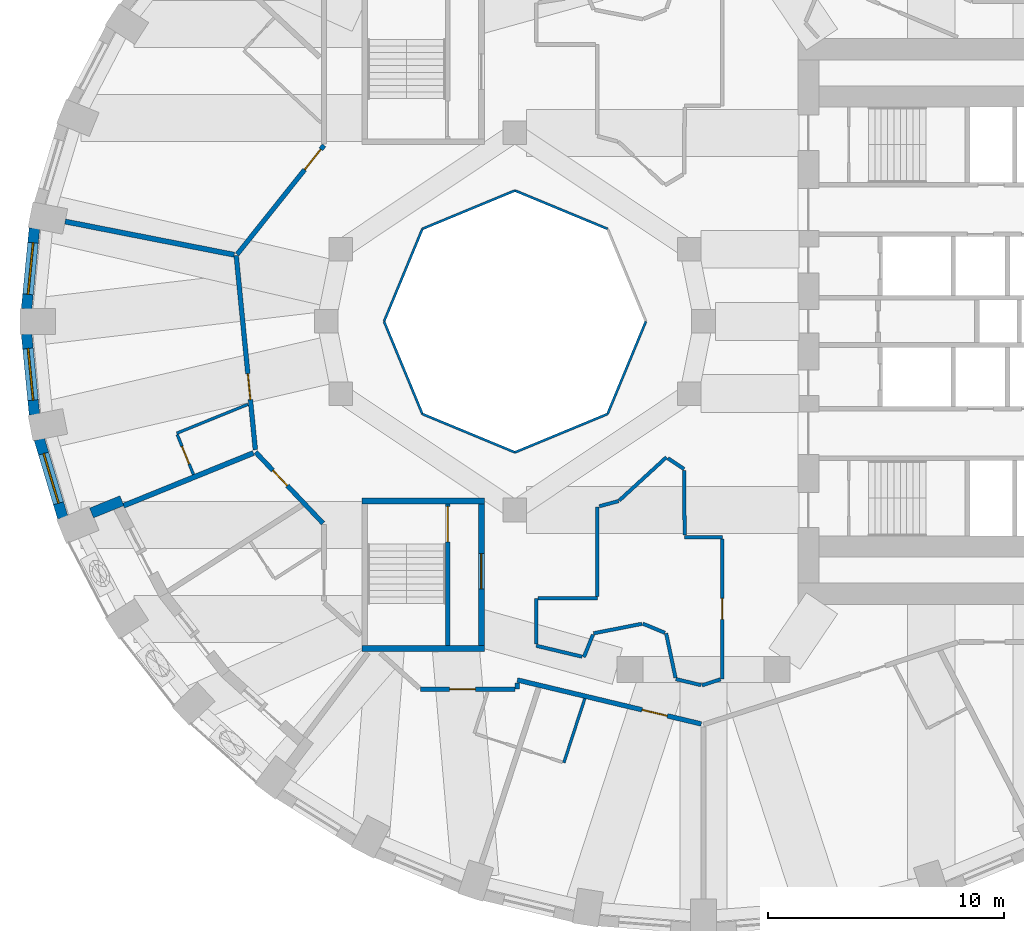
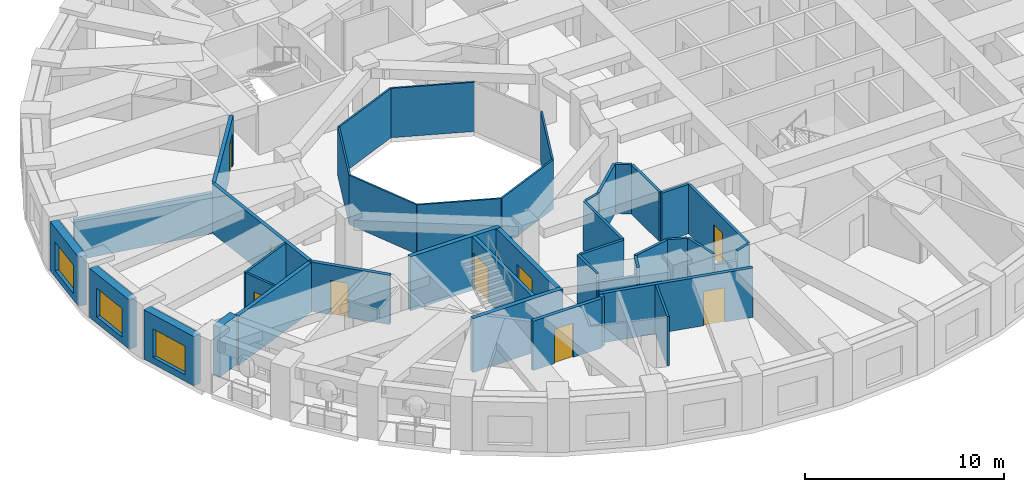
# One storey, part 4 of 13: 42 walls, 9 doors, 3 windows, 12 openings.
"""IFC4 building model written with IfcOpenShell, lengths in metres."""

from ifc_helpers import new_model, si_unit, direction, frame, frame_2d, origin, place, context, subcontext, project, spatial, rectangle, extrude, material, layer, layer_set, type_object, element, fill, save


model = new_model("IFC4")

# Units and contexts
model_context = context("Model", 3, precision=1e-05, world=origin(), true_north=direction((0.0, 1.0)))
body_context = subcontext(model_context, "Body", "Model", "MODEL_VIEW")
ifc_project = project(units=[si_unit("LENGTHUNIT", "METRE"), si_unit("AREAUNIT", "SQUARE_METRE"), si_unit("VOLUMEUNIT", "CUBIC_METRE"), si_unit("PLANEANGLEUNIT", "RADIAN"), si_unit("MASSUNIT", "GRAM", prefix="KILO")], contexts=[model_context])

# Site, building, storey
site_placement = place(None, origin())
site = spatial("IfcSite", under=ifc_project, at=site_placement, CompositionType="ELEMENT")
building_placement = place(site_placement, origin())
building = spatial("IfcBuilding", under=site, at=building_placement, Name="Taillehof Tower", CompositionType="ELEMENT")
storey_placement = place(building_placement, frame((0.0, 0.0, 51.39990234375)))
storey = spatial("IfcBuildingStorey", under=building, at=storey_placement, Name="L13", CompositionType="ELEMENT", Elevation=51.39990234375)

# Walls
ifc_material_1 = material(Name="Fire-resisting glass in steel frame", Category="steel")
ifc_layer_1 = layer(ifc_material_1, 0.10009765625)
ifc_layer_set_1 = layer_set([ifc_layer_1], Name="Atrium fire-resisting screen EI 60 100")
wall_type_1 = type_object("IfcWallType", Name="Atrium fire-resisting screen EI 60 100", PredefinedType="PARTITIONING", material=ifc_layer_set_1)
for number, where, z_axis, x_axis, name in (
    (1, (-2.44580078125, 0.0, 0.0), (0.0, 0.0, 1.0), (-0.382730523909, -0.923860025149, 0.0), "Atrium screen"),
    (2, (-4.07275390625, -3.92724609375, 0.0), (0.0, 0.0, 1.0), (-0.923860025149, -0.382730523909, 0.0), "Atrium screen"),
    (3, (-8.0, -5.55419921875, 0.0), (0.0, 0.0, 1.0), (-0.923860025149, 0.382730523909, 0.0), "Atrium screen"),
    (4, (-11.92724609375, -3.92724609375, 0.0), (0.0, 0.0, 1.0), (-0.382730523909, 0.923860025149, 0.0), "Atrium screen"),
    (5, (-13.55419921875, 0.0, 0.0), (0.0, 0.0, 1.0), (0.382730523909, 0.923860025149, 0.0), "Atrium screen"),
    (6, (-11.92724609375, 3.92724609375, 0.0), (0.0, 0.0, 1.0), (0.923860025149, 0.382730523909, 0.0), "Atrium screen"),
    (7, (-8.0, 5.55419921875, 0.0), (0.0, 0.0, 1.0), (0.923860025149, -0.382730523909, 0.0), "Atrium screen"),
):
    element("IfcWall", number, at=place(storey_placement, frame(where, z_axis=z_axis, x_axis=x_axis)), inside=storey, type_object=wall_type_1, Name=name, PredefinedType="PARTITIONING", context=body_context, shape_type="SweptSolid", body=[
        extrude(rectangle(XDim=4.2509765625, YDim=0.10009765625, at=frame_2d((2.12548828125, 0.0))), origin(), (0.0, 0.0, 1.0), 3.02001953125),
    ])

# Wall, opening, window
ifc_material_2 = material(Name="Brick masonry", Category="masonry")
ifc_layer_2 = layer(ifc_material_2, 0.449951171875)
ifc_layer_set_2 = layer_set([ifc_layer_2], Name="Brick infill wall 450")
wall_type_2 = type_object("IfcWallType", Name="Brick infill wall 450", PredefinedType="SOLIDWALL", material=ifc_layer_set_2)
wall_1_placement = place(storey_placement, frame((-28.38671875, 3.95556640625, 0.0), z_axis=(0.0, 0.0, 1.0), x_axis=(-0.097389581596, -0.995246336038, 0.0)))
wall_1 = element("IfcWall", 8, at=wall_1_placement, inside=storey, type_object=wall_type_2, Name="Brick wall L13 bay 18", PredefinedType="SOLIDWALL", context=body_context, shape_type="SweptSolid", body=[
    extrude(rectangle(XDim=3.44189453125, YDim=0.449951171875, at=frame_2d((1.720947265625, 0.0))), origin(), (0.0, 0.0, 1.0), 3.02001953125),
])
opening_1_placement = place(wall_1_placement, frame((0.62109375, 0.0, 0.39990234375)))
opening_1 = element("IfcOpeningElement", 9, at=opening_1_placement, cuts=wall_1, Name="Opening W1", PredefinedType="OPENING", context=body_context, shape_type="SweptSolid", body=[
    extrude(rectangle(XDim=2.199951171875, YDim=1.75, at=frame_2d((1.10009765625, 0.875))), frame((0.0, 0.23486328125, 0.0), z_axis=(0.0, -1.0, 0.0), x_axis=(1.0, 0.0, 0.0)), (0.0, 0.0, 1.0), 0.469970703125),
])
ifc_material_3 = material(Name="Aluminium window frame with clear double glazing", Category="aluminium")
window_type = type_object("IfcWindowType", Name="Deep-set window 2200x1750", PartitioningType="SINGLE_PANEL", PredefinedType="WINDOW", material=ifc_material_3)
window_1_placement = place(opening_1_placement, origin())
window_1 = element("IfcWindow", 10, at=window_1_placement, inside=storey, type_object=window_type, Name="W1", OverallHeight=1.75, OverallWidth=2.199951171875, PartitioningType="SINGLE_PANEL", PredefinedType="WINDOW", context=body_context, shape_type="SweptSolid", body=[
    extrude(rectangle(XDim=2.199951171875, YDim=1.75, at=frame_2d((1.10009765625, 0.875))), frame((0.0, 0.034912109375, 0.0), z_axis=(0.0, -1.0, 0.0), x_axis=(1.0, 0.0, 0.0)), (0.0, 0.0, 1.0), 0.06005859375),
])
fill(opening_1, window_1)

wall_2_placement = place(storey_placement, frame((-28.721923828125, -0.530029296875, 0.0), z_axis=(0.0, 0.0, 1.0), x_axis=(0.097389581596, -0.995246336038, 0.0)))
wall_2 = element("IfcWall", 11, at=wall_2_placement, inside=storey, type_object=wall_type_2, Name="Brick wall L13 bay 19", PredefinedType="SOLIDWALL", context=body_context, shape_type="SweptSolid", body=[
    extrude(rectangle(XDim=3.44189453125, YDim=0.449951171875, at=frame_2d((1.720947265625, 0.0))), origin(), (0.0, 0.0, 1.0), 3.02001953125),
])
opening_2_placement = place(wall_2_placement, frame((0.62109375, 0.0, 0.39990234375)))
opening_2 = element("IfcOpeningElement", 12, at=opening_2_placement, cuts=wall_2, Name="Opening W1", PredefinedType="OPENING", context=body_context, shape_type="SweptSolid", body=[
    extrude(rectangle(XDim=2.199951171875, YDim=1.75, at=frame_2d((1.10009765625, 0.875))), frame((0.0, 0.23486328125, 0.0), z_axis=(0.0, -1.0, 0.0), x_axis=(1.0, 0.0, 0.0)), (0.0, 0.0, 1.0), 0.469970703125),
])
window_2_placement = place(opening_2_placement, origin())
window_2 = element("IfcWindow", 13, at=window_2_placement, inside=storey, type_object=window_type, Name="W1", OverallHeight=1.75, OverallWidth=2.199951171875, PartitioningType="SINGLE_PANEL", PredefinedType="WINDOW", context=body_context, shape_type="SweptSolid", body=[
    extrude(rectangle(XDim=2.199951171875, YDim=1.75, at=frame_2d((1.10009765625, 0.875))), frame((0.0, 0.034912109375, 0.0), z_axis=(0.0, -1.0, 0.0), x_axis=(1.0, 0.0, 0.0)), (0.0, 0.0, 1.0), 0.06005859375),
])
fill(opening_2, window_2)

wall_3_placement = place(storey_placement, frame((-28.181884765625, -4.995849609375, 0.0), z_axis=(0.0, 0.0, 1.0), x_axis=(0.287064133733, -0.957911364963, 0.0)))
wall_3 = element("IfcWall", 14, at=wall_3_placement, inside=storey, type_object=wall_type_2, Name="Brick wall L13 bay 20", PredefinedType="SOLIDWALL", context=body_context, shape_type="SweptSolid", body=[
    extrude(rectangle(XDim=3.473388671875, YDim=0.449951171875, at=frame_2d((1.73681640625, 0.0))), origin(), (0.0, 0.0, 1.0), 3.02001953125),
])
opening_3_placement = place(wall_3_placement, frame((0.63671875, 0.0, 0.39990234375)))
opening_3 = element("IfcOpeningElement", 15, at=opening_3_placement, cuts=wall_3, Name="Opening W1", PredefinedType="OPENING", context=body_context, shape_type="SweptSolid", body=[
    extrude(rectangle(XDim=2.199951171875, YDim=1.75, at=frame_2d((1.10009765625, 0.875))), frame((0.0, 0.23486328125, 0.0), z_axis=(0.0, -1.0, 0.0), x_axis=(1.0, 0.0, 0.0)), (0.0, 0.0, 1.0), 0.469970703125),
])
window_3_placement = place(opening_3_placement, origin())
window_3 = element("IfcWindow", 16, at=window_3_placement, inside=storey, type_object=window_type, Name="W1", OverallHeight=1.75, OverallWidth=2.199951171875, PartitioningType="SINGLE_PANEL", PredefinedType="WINDOW", context=body_context, shape_type="SweptSolid", body=[
    extrude(rectangle(XDim=2.199951171875, YDim=1.75, at=frame_2d((1.10009765625, 0.875))), frame((0.0, 0.034912109375, 0.0), z_axis=(0.0, -1.0, 0.0), x_axis=(1.0, 0.0, 0.0)), (0.0, 0.0, 1.0), 0.06005859375),
])
fill(opening_3, window_3)

# Wall
wall_4_placement = place(storey_placement, frame((-25.96484375, -8.12744140625, 0.0), z_axis=(0.0, 0.0, 1.0), x_axis=(0.926575599743, 0.376108572039, 0.0)))
element("IfcWall", 17, at=wall_4_placement, inside=storey, type_object=wall_type_2, Name="Brick reveal L13 pocket 6", PredefinedType="SOLIDWALL", context=body_context, shape_type="SweptSolid", body=[
    extrude(rectangle(XDim=1.390380859375, YDim=0.449951171875, at=frame_2d((0.6953125, 0.0))), origin(), (0.0, 0.0, 1.0), 3.02001953125),
])

# Wall, opening, door
ifc_material_4 = material(Name="Gypsum board on steel studs, two layers each side", Category="steel")
ifc_layer_3 = layer(ifc_material_4, 0.199951171875)
ifc_layer_set_3 = layer_set([ifc_layer_3], Name="Compartment wall corridor 200")
wall_type_3 = type_object("IfcWallType", Name="Compartment wall corridor 200", PredefinedType="PARTITIONING", material=ifc_layer_set_3)
wall_5_placement = place(storey_placement, frame((-16.14111328125, -8.565673828125, 0.0), z_axis=(0.0, 0.0, 1.0), x_axis=(-0.687938220375, 0.725769250483, 0.0)))
wall_5 = element("IfcWall", 18, at=wall_5_placement, inside=storey, type_object=wall_type_3, Name="Compartment wall", PredefinedType="PARTITIONING", context=body_context, shape_type="SweptSolid", body=[
    extrude(rectangle(XDim=4.162353515625, YDim=0.199951171875, at=frame_2d((2.0810546875, 0.0))), origin(), (0.0, 0.0, 1.0), 3.02001953125),
])
opening_4_placement = place(wall_5_placement, frame((2.201171875, 0.0, 0.0)))
opening_4 = element("IfcOpeningElement", 19, at=opening_4_placement, cuts=wall_5, Name="Opening D1354", PredefinedType="OPENING", context=body_context, shape_type="SweptSolid", body=[
    extrude(rectangle(XDim=0.89990234375, YDim=2.10009765625, at=frame_2d((0.449951171875, 1.050048828125))), frame((0.0, 0.10986328125, 0.0), z_axis=(0.0, -1.0, 0.0), x_axis=(1.0, 0.0, 0.0)), (0.0, 0.0, 1.0), 0.219970703125),
])
ifc_material_5 = material(Name="Timber door leaf in steel frame", Category="steel")
door_type_1 = type_object("IfcDoorType", Name="Service room door EI 30 900 x 2100", OperationType="SINGLE_SWING_LEFT", PredefinedType="DOOR", material=ifc_material_5)
door_1_placement = place(opening_4_placement, origin())
door_1 = element("IfcDoor", 20, at=door_1_placement, inside=storey, type_object=door_type_1, Name="D1354", OperationType="SINGLE_SWING_LEFT", OverallHeight=2.10009765625, OverallWidth=0.89990234375, PredefinedType="DOOR", context=body_context, shape_type="SweptSolid", body=[
    extrude(rectangle(XDim=0.89990234375, YDim=2.10009765625, at=frame_2d((0.449951171875, 1.050048828125))), frame((0.0, 0.02490234375, 0.0), z_axis=(0.0, -1.0, 0.0), x_axis=(1.0, 0.0, 0.0)), (0.0, 0.0, 1.0), 0.050048828125),
])
fill(opening_4, door_1)

wall_6_placement = place(storey_placement, frame((-19.014404296875, -5.444580078125, 0.0), z_axis=(0.0, 0.0, 1.0), x_axis=(-0.098076369896, 0.995178891289, 0.0)))
wall_6 = element("IfcWall", 21, at=wall_6_placement, inside=storey, type_object=wall_type_3, Name="Compartment wall", PredefinedType="PARTITIONING", context=body_context, shape_type="SweptSolid", body=[
    extrude(rectangle(XDim=8.281982421875, YDim=0.199951171875, at=frame_2d((4.14111328125, 0.0))), origin(), (0.0, 0.0, 1.0), 3.02001953125),
])
opening_5_placement = place(wall_6_placement, frame((2.142333984375, 0.0, 0.0)))
opening_5 = element("IfcOpeningElement", 22, at=opening_5_placement, cuts=wall_6, Name="Opening D1352", PredefinedType="OPENING", context=body_context, shape_type="SweptSolid", body=[
    extrude(rectangle(XDim=1.10009765625, YDim=2.10009765625, at=frame_2d((0.550048828125, 1.050048828125))), frame((0.0, 0.10986328125, 0.0), z_axis=(0.0, -1.0, 0.0), x_axis=(1.0, 0.0, 0.0)), (0.0, 0.0, 1.0), 0.219970703125),
])
ifc_material_6 = material(Name="Timber door leaf in steel frame", Category="steel")
door_type_2 = type_object("IfcDoorType", Name="Suite entrance door EI 30 1100 x 2100", OperationType="SINGLE_SWING_LEFT", PredefinedType="DOOR", material=ifc_material_6)
door_2_placement = place(opening_5_placement, origin())
door_2 = element("IfcDoor", 23, at=door_2_placement, inside=storey, type_object=door_type_2, Name="D1352", OperationType="SINGLE_SWING_LEFT", OverallHeight=2.10009765625, OverallWidth=1.10009765625, PredefinedType="DOOR", context=body_context, shape_type="SweptSolid", body=[
    extrude(rectangle(XDim=1.10009765625, YDim=2.10009765625, at=frame_2d((0.550048828125, 1.050048828125))), frame((0.0, 0.02490234375, 0.0), z_axis=(0.0, -1.0, 0.0), x_axis=(1.0, 0.0, 0.0)), (0.0, 0.0, 1.0), 0.050048828125),
])
fill(opening_5, door_2)

wall_7_placement = place(storey_placement, frame((-19.789306640625, 2.84423828125, 0.0), z_axis=(0.0, 0.0, 1.0), x_axis=(0.623300670662, 0.781982272147, 0.0)))
wall_7 = element("IfcWall", 24, at=wall_7_placement, inside=storey, type_object=wall_type_3, Name="Compartment wall", PredefinedType="PARTITIONING", context=body_context, shape_type="SweptSolid", body=[
    extrude(rectangle(XDim=5.9189453125, YDim=0.199951171875, at=frame_2d((2.95947265625, 0.0))), origin(), (0.0, 0.0, 1.0), 3.02001953125),
])
opening_6_placement = place(wall_7_placement, frame((4.598876953125, 0.0, 0.0)))
opening_6 = element("IfcOpeningElement", 25, at=opening_6_placement, cuts=wall_7, Name="Opening D1350", PredefinedType="OPENING", context=body_context, shape_type="SweptSolid", body=[
    extrude(rectangle(XDim=1.10009765625, YDim=2.10009765625, at=frame_2d((0.550048828125, 1.050048828125))), frame((0.0, 0.10986328125, 0.0), z_axis=(0.0, -1.0, 0.0), x_axis=(1.0, 0.0, 0.0)), (0.0, 0.0, 1.0), 0.219970703125),
])
door_3_placement = place(opening_6_placement, origin())
door_3 = element("IfcDoor", 26, at=door_3_placement, inside=storey, type_object=door_type_2, Name="D1350", OperationType="SINGLE_SWING_RIGHT", OverallHeight=2.10009765625, OverallWidth=1.10009765625, PredefinedType="DOOR", context=body_context, shape_type="SweptSolid", body=[
    extrude(rectangle(XDim=1.10009765625, YDim=2.10009765625, at=frame_2d((0.550048828125, 1.050048828125))), frame((0.0, 0.02490234375, 0.0), z_axis=(0.0, -1.0, 0.0), x_axis=(1.0, 0.0, 0.0)), (0.0, 0.0, 1.0), 0.050048828125),
])
fill(opening_6, door_3)

wall_8_placement = place(storey_placement, frame((-0.09765625, -17.076904296875, 0.0), z_axis=(0.0, 0.0, 1.0), x_axis=(-0.972607318404, 0.232454305588, 0.0)))
wall_8 = element("IfcWall", 27, at=wall_8_placement, inside=storey, type_object=wall_type_3, Name="Compartment wall", PredefinedType="PARTITIONING", context=body_context, shape_type="SweptSolid", body=[
    extrude(rectangle(XDim=8.02197265625, YDim=0.199951171875, at=frame_2d((4.010986328125, 0.0))), origin(), (0.0, 0.0, 1.0), 3.02001953125),
])
opening_7_placement = place(wall_8_placement, frame((1.478759765625, 0.0, 0.0)))
opening_7 = element("IfcOpeningElement", 28, at=opening_7_placement, cuts=wall_8, Name="Opening D1359", PredefinedType="OPENING", context=body_context, shape_type="SweptSolid", body=[
    extrude(rectangle(XDim=1.10009765625, YDim=2.10009765625, at=frame_2d((0.550048828125, 1.050048828125))), frame((0.0, 0.10986328125, 0.0), z_axis=(0.0, -1.0, 0.0), x_axis=(1.0, 0.0, 0.0)), (0.0, 0.0, 1.0), 0.219970703125),
])
door_4_placement = place(opening_7_placement, origin())
door_4 = element("IfcDoor", 29, at=door_4_placement, inside=storey, type_object=door_type_2, Name="D1359", OperationType="SINGLE_SWING_LEFT", OverallHeight=2.10009765625, OverallWidth=1.10009765625, PredefinedType="DOOR", context=body_context, shape_type="SweptSolid", body=[
    extrude(rectangle(XDim=1.10009765625, YDim=2.10009765625, at=frame_2d((0.550048828125, 1.050048828125))), frame((0.0, 0.02490234375, 0.0), z_axis=(0.0, -1.0, 0.0), x_axis=(1.0, 0.0, 0.0)), (0.0, 0.0, 1.0), 0.050048828125),
])
fill(opening_7, door_4)

# Wall
wall_9_placement = place(storey_placement, frame((-7.89990234375, -15.332275390625, 0.0), z_axis=(0.0, 0.0, 1.0), x_axis=(0.0, -1.0, 0.0)))
element("IfcWall", 30, at=wall_9_placement, inside=storey, type_object=wall_type_3, Name="Compartment wall", PredefinedType="PARTITIONING", context=body_context, shape_type="SweptSolid", body=[
    extrude(rectangle(XDim=0.267822265625, YDim=0.199951171875, at=frame_2d((0.1337890625, 0.0))), origin(), (0.0, 0.0, 1.0), 3.02001953125),
])

# Wall, opening, door
wall_10_placement = place(storey_placement, frame((-8.0, -15.60009765625, 0.0), z_axis=(0.0, 0.0, 1.0), x_axis=(-1.0, 0.0, 0.0)))
wall_10 = element("IfcWall", 31, at=wall_10_placement, inside=storey, type_object=wall_type_3, Name="Compartment wall", PredefinedType="PARTITIONING", context=body_context, shape_type="SweptSolid", body=[
    extrude(rectangle(XDim=4.00927734375, YDim=0.199951171875, at=frame_2d((2.004638671875, 0.0))), origin(), (0.0, 0.0, 1.0), 3.02001953125),
])
opening_8_placement = place(wall_10_placement, frame((1.676025390625, 0.0, 0.0)))
opening_8 = element("IfcOpeningElement", 32, at=opening_8_placement, cuts=wall_10, Name="Opening D1357", PredefinedType="OPENING", context=body_context, shape_type="SweptSolid", body=[
    extrude(rectangle(XDim=1.10009765625, YDim=2.10009765625, at=frame_2d((0.550048828125, 1.050048828125))), frame((0.0, 0.10986328125, 0.0), z_axis=(0.0, -1.0, 0.0), x_axis=(1.0, 0.0, 0.0)), (0.0, 0.0, 1.0), 0.219970703125),
])
door_5_placement = place(opening_8_placement, origin())
door_5 = element("IfcDoor", 33, at=door_5_placement, inside=storey, type_object=door_type_2, Name="D1357", OperationType="SINGLE_SWING_LEFT", OverallHeight=2.10009765625, OverallWidth=1.10009765625, PredefinedType="DOOR", context=body_context, shape_type="SweptSolid", body=[
    extrude(rectangle(XDim=1.10009765625, YDim=2.10009765625, at=frame_2d((0.550048828125, 1.050048828125))), frame((0.0, 0.02490234375, 0.0), z_axis=(0.0, -1.0, 0.0), x_axis=(1.0, 0.0, 0.0)), (0.0, 0.0, 1.0), 0.050048828125),
])
fill(opening_8, door_5)

# Walls
ifc_material_7 = material(Name="Gypsum board on double steel studs with mineral wool", Category="steel")
ifc_layer_4 = layer(ifc_material_7, 0.219970703125)
ifc_layer_set_4 = layer_set([ifc_layer_4], Name="Compartment wall guest room 220")
wall_type_4 = type_object("IfcWallType", Name="Compartment wall guest room 220", PredefinedType="PARTITIONING", material=ifc_layer_set_4)
wall_11_placement = place(storey_placement, frame((-27.0849609375, 4.239990234375, 0.0), z_axis=(0.0, 0.0, 1.0), x_axis=(0.981202333999, -0.192981811981, 0.0)))
element("IfcWall", 34, at=wall_11_placement, inside=storey, type_object=wall_type_4, Name="Compartment wall", PredefinedType="PARTITIONING", context=body_context, shape_type="SweptSolid", body=[
    extrude(rectangle(XDim=7.312255859375, YDim=0.219970703125, at=frame_2d((3.65625, 0.0))), origin(), (0.0, 0.0, 1.0), 2.47021484375),
])
wall_12_placement = place(storey_placement, frame((-24.608642578125, -7.81982421875, 0.0), z_axis=(0.0, 0.0, 1.0), x_axis=(0.926562262773, 0.376141427131, 0.0)))
element("IfcWall", 35, at=wall_12_placement, inside=storey, type_object=wall_type_4, Name="Compartment wall", PredefinedType="PARTITIONING", context=body_context, shape_type="SweptSolid", body=[
    extrude(rectangle(XDim=5.947998046875, YDim=0.219970703125, at=frame_2d((2.97412109375, 0.0))), origin(), (0.0, 0.0, 1.0), 3.02001953125),
])
ifc_material_8 = material(Name="Gypsum board on steel studs, two layers each side", Category="steel")
ifc_layer_5 = layer(ifc_material_8, 0.14990234375)
ifc_layer_set_5 = layer_set([ifc_layer_5], Name="Compartment wall service room 150")
wall_type_5 = type_object("IfcWallType", Name="Compartment wall service room 150", PredefinedType="PARTITIONING", material=ifc_layer_set_5)
wall_13_placement = place(storey_placement, frame((-0.800048828125, -9.14990234375, 0.0), z_axis=(0.0, 0.0, 1.0), x_axis=(1.0, 0.0, 0.0)))
element("IfcWall", 36, at=wall_13_placement, inside=storey, type_object=wall_type_5, Name="Compartment wall", PredefinedType="PARTITIONING", context=body_context, shape_type="SweptSolid", body=[
    extrude(rectangle(XDim=1.60009765625, YDim=0.14990234375, at=frame_2d((0.800048828125, 0.0))), origin(), (0.0, 0.0, 1.0), 3.02001953125),
])

# Wall, opening, door
wall_14_placement = place(storey_placement, frame((0.800048828125, -9.22998046875, 0.0), z_axis=(0.0, 0.0, 1.0), x_axis=(0.0, -1.0, 0.0)))
wall_14 = element("IfcWall", 37, at=wall_14_placement, inside=storey, type_object=wall_type_5, Name="Compartment wall", PredefinedType="PARTITIONING", context=body_context, shape_type="SweptSolid", body=[
    extrude(rectangle(XDim=5.929931640625, YDim=0.14990234375, at=frame_2d((2.96484375, 0.0))), origin(), (0.0, 0.0, 1.0), 3.02001953125),
])
opening_9_placement = place(wall_14_placement, frame((2.514892578125, 0.0, 0.0)))
opening_9 = element("IfcOpeningElement", 38, at=opening_9_placement, cuts=wall_14, Name="Opening D1370", PredefinedType="OPENING", context=body_context, shape_type="SweptSolid", body=[
    extrude(rectangle(XDim=0.89990234375, YDim=2.10009765625, at=frame_2d((0.449951171875, 1.050048828125))), frame((0.0, 0.0849609375, 0.0), z_axis=(0.0, -1.0, 0.0), x_axis=(1.0, 0.0, 0.0)), (0.0, 0.0, 1.0), 0.169921875),
])
door_6_placement = place(opening_9_placement, origin())
door_6 = element("IfcDoor", 39, at=door_6_placement, inside=storey, type_object=door_type_1, Name="D1370", OperationType="SINGLE_SWING_LEFT", OverallHeight=2.10009765625, OverallWidth=0.89990234375, PredefinedType="DOOR", context=body_context, shape_type="SweptSolid", body=[
    extrude(rectangle(XDim=0.89990234375, YDim=2.10009765625, at=frame_2d((0.449951171875, 1.050048828125))), frame((0.0, 0.02490234375, 0.0), z_axis=(0.0, -1.0, 0.0), x_axis=(1.0, 0.0, 0.0)), (0.0, 0.0, 1.0), 0.050048828125),
])
fill(opening_9, door_6)

# Walls
wall_15_placement = place(storey_placement, frame((0.723876953125, -15.184326171875, 0.0), z_axis=(0.0, 0.0, 1.0), x_axis=(-0.951444518554, -0.307820285415, 0.0)))
element("IfcWall", 40, at=wall_15_placement, inside=storey, type_object=wall_type_5, Name="Compartment wall", PredefinedType="PARTITIONING", context=body_context, shape_type="SweptSolid", body=[
    extrude(rectangle(XDim=0.828857421875, YDim=0.14990234375, at=frame_2d((0.41455078125, 0.0))), origin(), (0.0, 0.0, 1.0), 3.02001953125),
])
wall_16_placement = place(storey_placement, frame((-0.103759765625, -15.43017578125, 0.0), z_axis=(0.0, 0.0, 1.0), x_axis=(-0.972630060885, 0.232359128642, 0.0)))
element("IfcWall", 41, at=wall_16_placement, inside=storey, type_object=wall_type_5, Name="Compartment wall", PredefinedType="PARTITIONING", context=body_context, shape_type="SweptSolid", body=[
    extrude(rectangle(XDim=1.102294921875, YDim=0.14990234375, at=frame_2d((0.55126953125, 0.0))), origin(), (0.0, 0.0, 1.0), 2.420166015625),
])
wall_17_placement = place(storey_placement, frame((-1.188232421875, -15.115478515625, 0.0), z_axis=(0.0, 0.0, 1.0), x_axis=(-0.20649628494, 0.978447384536, 0.0)))
element("IfcWall", 42, at=wall_17_placement, inside=storey, type_object=wall_type_5, Name="Compartment wall", PredefinedType="PARTITIONING", context=body_context, shape_type="SweptSolid", body=[
    extrude(rectangle(XDim=1.9248046875, YDim=0.14990234375, at=frame_2d((0.96240234375, 0.0))), origin(), (0.0, 0.0, 1.0), 3.02001953125),
])
wall_18_placement = place(storey_placement, frame((-1.641357421875, -13.20947265625, 0.0), z_axis=(0.0, 0.0, 1.0), x_axis=(-0.923725449546, 0.383055209937, 0.0)))
element("IfcWall", 43, at=wall_18_placement, inside=storey, type_object=wall_type_5, Name="Compartment wall", PredefinedType="PARTITIONING", context=body_context, shape_type="SweptSolid", body=[
    extrude(rectangle(XDim=1.011474609375, YDim=0.14990234375, at=frame_2d((0.505859375, 0.0))), origin(), (0.0, 0.0, 1.0), 3.02001953125),
])
wall_19_placement = place(storey_placement, frame((-2.61474609375, -12.829833984375, 0.0), z_axis=(0.0, 0.0, 1.0), x_axis=(-0.981297312652, -0.192498270593, 0.0)))
element("IfcWall", 44, at=wall_19_placement, inside=storey, type_object=wall_type_5, Name="Compartment wall", PredefinedType="PARTITIONING", context=body_context, shape_type="SweptSolid", body=[
    extrude(rectangle(XDim=2.090087890625, YDim=0.14990234375, at=frame_2d((1.044921875, 0.0))), origin(), (0.0, 0.0, 1.0), 3.02001953125),
])
wall_20_placement = place(storey_placement, frame((-4.6884765625, -13.287841796875, 0.0), z_axis=(0.0, 0.0, 1.0), x_axis=(-0.375963709287, -0.926634388148, 0.0)))
element("IfcWall", 45, at=wall_20_placement, inside=storey, type_object=wall_type_5, Name="Compartment wall", PredefinedType="PARTITIONING", context=body_context, shape_type="SweptSolid", body=[
    extrude(rectangle(XDim=1.02978515625, YDim=0.14990234375, at=frame_2d((0.514892578125, 0.0))), origin(), (0.0, 0.0, 1.0), 3.02001953125),
])
wall_21_placement = place(storey_placement, frame((-5.15380859375, -14.2236328125, 0.0), z_axis=(0.0, 0.0, 1.0), x_axis=(-0.97258848944, 0.232533073366, 0.0)))
element("IfcWall", 46, at=wall_21_placement, inside=storey, type_object=wall_type_5, Name="Compartment wall", PredefinedType="PARTITIONING", context=body_context, shape_type="SweptSolid", body=[
    extrude(rectangle(XDim=2.001220703125, YDim=0.14990234375, at=frame_2d((1.00048828125, 0.0))), origin(), (0.0, 0.0, 1.0), 2.570068359375),
])
wall_22_placement = place(storey_placement, frame((-7.10009765625, -13.67822265625, 0.0), z_axis=(0.0, 0.0, 1.0), x_axis=(0.0, 1.0, 0.0)))
element("IfcWall", 47, at=wall_22_placement, inside=storey, type_object=wall_type_5, Name="Compartment wall", PredefinedType="PARTITIONING", context=body_context, shape_type="SweptSolid", body=[
    extrude(rectangle(XDim=1.92822265625, YDim=0.14990234375, at=frame_2d((0.964111328125, 0.0))), origin(), (0.0, 0.0, 1.0), 3.02001953125),
])
wall_23_placement = place(storey_placement, frame((-7.02001953125, -11.75, 0.0), z_axis=(0.0, 0.0, 1.0), x_axis=(1.0, 0.0, 0.0)))
element("IfcWall", 48, at=wall_23_placement, inside=storey, type_object=wall_type_5, Name="Compartment wall", PredefinedType="PARTITIONING", context=body_context, shape_type="SweptSolid", body=[
    extrude(rectangle(XDim=2.52001953125, YDim=0.14990234375, at=frame_2d((1.260009765625, 0.0))), origin(), (0.0, 0.0, 1.0), 3.02001953125),
])
wall_24_placement = place(storey_placement, frame((-4.5, -11.669921875, 0.0), z_axis=(0.0, 0.0, 1.0), x_axis=(0.0, 1.0, 0.0)))
element("IfcWall", 49, at=wall_24_placement, inside=storey, type_object=wall_type_5, Name="Compartment wall", PredefinedType="PARTITIONING", context=body_context, shape_type="SweptSolid", body=[
    extrude(rectangle(XDim=3.807861328125, YDim=0.14990234375, at=frame_2d((1.90380859375, 0.0))), origin(), (0.0, 0.0, 1.0), 3.02001953125),
])
wall_25_placement = place(storey_placement, frame((-4.4228515625, -7.841552734375, 0.0), z_axis=(0.0, 0.0, 1.0), x_axis=(0.965853333569, 0.259089440221, 0.0)))
element("IfcWall", 50, at=wall_25_placement, inside=storey, type_object=wall_type_5, Name="Compartment wall", PredefinedType="PARTITIONING", context=body_context, shape_type="SweptSolid", body=[
    extrude(rectangle(XDim=0.851806640625, YDim=0.14990234375, at=frame_2d((0.42578125, 0.0))), origin(), (0.0, 0.0, 1.0), 3.02001953125),
])
wall_26_placement = place(storey_placement, frame((-3.57080078125, -7.593994140625, 0.0), z_axis=(0.0, 0.0, 1.0), x_axis=(0.736783660812, 0.676128565555, 0.0)))
element("IfcWall", 51, at=wall_26_placement, inside=storey, type_object=wall_type_5, Name="Compartment wall", PredefinedType="PARTITIONING", context=body_context, shape_type="SweptSolid", body=[
    extrude(rectangle(XDim=2.708984375, YDim=0.14990234375, at=frame_2d((1.3544921875, 0.0))), origin(), (0.0, 0.0, 1.0), 3.02001953125),
])
wall_27_placement = place(storey_placement, frame((-1.508544921875, -5.806396484375, 0.0), z_axis=(0.0, 0.0, 1.0), x_axis=(0.831367153095, -0.55572354346, 0.0)))
element("IfcWall", 52, at=wall_27_placement, inside=storey, type_object=wall_type_5, Name="Compartment wall", PredefinedType="PARTITIONING", context=body_context, shape_type="SweptSolid", body=[
    extrude(rectangle(XDim=0.825439453125, YDim=0.14990234375, at=frame_2d((0.41259765625, 0.0))), origin(), (0.0, 0.0, 1.0), 3.02001953125),
])
wall_28_placement = place(storey_placement, frame((-0.821533203125, -6.3251953125, 0.0), z_axis=(0.0, 0.0, 1.0), x_axis=(0.007471771501, -0.999972085926, 0.0)))
element("IfcWall", 53, at=wall_28_placement, inside=storey, type_object=wall_type_5, Name="Compartment wall", PredefinedType="PARTITIONING", context=body_context, shape_type="SweptSolid", body=[
    extrude(rectangle(XDim=2.74462890625, YDim=0.14990234375, at=frame_2d((1.372314453125, 0.0))), origin(), (0.0, 0.0, 1.0), 3.02001953125),
])
ifc_material_9 = material(Name="Gypsum board on steel studs, moisture resistant", Category="steel")
ifc_layer_6 = layer(ifc_material_9, 0.1201171875)
ifc_layer_set_6 = layer_set([ifc_layer_6], Name="En-suite wall 120")
wall_type_6 = type_object("IfcWallType", Name="En-suite wall 120", PredefinedType="PARTITIONING", material=ifc_layer_set_6)
wall_29_placement = place(storey_placement, frame((-19.32421875, -3.51611328125, 0.0), z_axis=(0.0, 0.0, 1.0), x_axis=(-0.926573216048, -0.376114444421, 0.0)))
element("IfcWall", 54, at=wall_29_placement, inside=storey, type_object=wall_type_6, Name="En-suite wall", PredefinedType="PARTITIONING", context=body_context, shape_type="SweptSolid", body=[
    extrude(rectangle(XDim=3.26708984375, YDim=0.1201171875, at=frame_2d((1.633544921875, 0.0))), origin(), (0.0, 0.0, 1.0), 3.02001953125),
])
wall_30_placement = place(storey_placement, frame((-5.03662109375, -15.999267578125, 0.0), z_axis=(0.0, 0.0, 1.0), x_axis=(-0.310181518973, -0.950677350781, 0.0)))
element("IfcWall", 55, at=wall_30_placement, inside=storey, type_object=wall_type_6, Name="En-suite wall", PredefinedType="PARTITIONING", context=body_context, shape_type="SweptSolid", body=[
    extrude(rectangle(XDim=2.86181640625, YDim=0.1201171875, at=frame_2d((1.430908203125, 0.0))), origin(), (0.0, 0.0, 1.0), 3.02001953125),
])

# Wall, opening, door
wall_31_placement = place(storey_placement, frame((-22.32861328125, -4.800537109375, 0.0), z_axis=(0.0, 0.0, 1.0), x_axis=(0.376101474088, -0.926578480858, 0.0)))
wall_31 = element("IfcWall", 56, at=wall_31_placement, inside=storey, type_object=wall_type_6, Name="En-suite wall", PredefinedType="PARTITIONING", context=body_context, shape_type="SweptSolid", body=[
    extrude(rectangle(XDim=1.829833984375, YDim=0.1201171875, at=frame_2d((0.9150390625, 0.0))), origin(), (0.0, 0.0, 1.0), 3.02001953125),
])
opening_10_placement = place(wall_31_placement, frame((0.539794921875, 0.0, 0.0)))
opening_10 = element("IfcOpeningElement", 57, at=opening_10_placement, cuts=wall_31, Name="Opening D1353", PredefinedType="OPENING", context=body_context, shape_type="SweptSolid", body=[
    extrude(rectangle(XDim=0.800048828125, YDim=2.10009765625, at=frame_2d((0.39990234375, 1.050048828125))), frame((0.0, 0.070068359375, 0.0), z_axis=(0.0, -1.0, 0.0), x_axis=(1.0, 0.0, 0.0)), (0.0, 0.0, 1.0), 0.14013671875),
])
ifc_material_10 = material(Name="Timber door leaf in steel frame", Category="steel")
door_type_3 = type_object("IfcDoorType", Name="En-suite door 800 x 2100", OperationType="SINGLE_SWING_LEFT", PredefinedType="DOOR", material=ifc_material_10)
door_7_placement = place(opening_10_placement, origin())
door_7 = element("IfcDoor", 58, at=door_7_placement, inside=storey, type_object=door_type_3, Name="D1353", OperationType="SINGLE_SWING_LEFT", OverallHeight=2.10009765625, OverallWidth=0.800048828125, PredefinedType="DOOR", context=body_context, shape_type="SweptSolid", body=[
    extrude(rectangle(XDim=0.800048828125, YDim=2.10009765625, at=frame_2d((0.39990234375, 1.050048828125))), frame((0.0, 0.02490234375, 0.0), z_axis=(0.0, -1.0, 0.0), x_axis=(1.0, 0.0, 0.0)), (0.0, 0.0, 1.0), 0.050048828125),
])
fill(opening_10, door_7)

ifc_material_11 = material(Name="Concrete C50/60", Category="concrete")
ifc_layer_7 = layer(ifc_material_11, 0.199951171875)
ifc_layer_set_7 = layer_set([ifc_layer_7], Name="Shaft wall C50/60 200")
wall_type_7 = type_object("IfcWallType", Name="Shaft wall C50/60 200", PredefinedType="SHEAR", material=ifc_layer_set_7)
wall_32_placement = place(storey_placement, frame((-10.85009765625, -13.75, 0.0), z_axis=(0.0, 0.0, 1.0), x_axis=(0.0, 1.0, 0.0)))
wall_32 = element("IfcWall", 59, at=wall_32_placement, inside=storey, type_object=wall_type_7, Name="Shaft wall SW", PredefinedType="SHEAR", context=body_context, shape_type="SweptSolid", body=[
    extrude(rectangle(XDim=6.0, YDim=0.199951171875, at=frame_2d((3.0, 0.0))), origin(), (0.0, 0.0, 1.0), 3.02001953125),
])
opening_11_placement = place(wall_32_placement, frame((4.39990234375, 0.0, 0.0)))
opening_11 = element("IfcOpeningElement", 60, at=opening_11_placement, cuts=wall_32, Name="Opening D1313", PredefinedType="OPENING", context=body_context, shape_type="SweptSolid", body=[
    extrude(rectangle(XDim=1.5, YDim=2.10009765625, at=frame_2d((0.75, 1.050048828125))), frame((0.0, 0.10986328125, 0.0), z_axis=(0.0, -1.0, 0.0), x_axis=(1.0, 0.0, 0.0)), (0.0, 0.0, 1.0), 0.219970703125),
])
ifc_material_12 = material(Name="Steel-faced fire door", Category="steel")
door_type_4 = type_object("IfcDoorType", Name="Stair door 1500x2100", OperationType="DOUBLE_DOOR_SINGLE_SWING", PredefinedType="DOOR", material=ifc_material_12)
door_8_placement = place(opening_11_placement, origin())
door_8 = element("IfcDoor", 61, at=door_8_placement, inside=storey, type_object=door_type_4, Name="Stair lobby door S4", OperationType="DOUBLE_DOOR_SINGLE_SWING", OverallHeight=2.10009765625, OverallWidth=1.5, PredefinedType="DOOR", context=body_context, shape_type="SweptSolid", body=[
    extrude(rectangle(XDim=1.5, YDim=2.10009765625, at=frame_2d((0.75, 1.050048828125))), frame((0.0, 0.02490234375, 0.0), z_axis=(0.0, -1.0, 0.0), x_axis=(1.0, 0.0, 0.0)), (0.0, 0.0, 1.0), 0.050048828125),
])
fill(opening_11, door_8)

ifc_material_13 = material(Name="Concrete C50/60", Category="concrete")
ifc_layer_8 = layer(ifc_material_13, 0.25)
ifc_layer_set_8 = layer_set([ifc_layer_8], Name="Stair wall C50/60 250")
wall_type_8 = type_object("IfcWallType", Name="Stair wall C50/60 250", PredefinedType="SHEAR", material=ifc_layer_set_8)
wall_33_placement = place(storey_placement, frame((-9.425048828125, -13.75, -0.27978515625), z_axis=(0.0, 0.0, 1.0), x_axis=(0.0, 1.0, 0.0)))
wall_33 = element("IfcWall", 62, at=wall_33_placement, inside=storey, type_object=wall_type_8, Name="Stair wall SC", PredefinedType="SHEAR", context=body_context, shape_type="SweptSolid", body=[
    extrude(rectangle(XDim=6.0, YDim=0.25, at=frame_2d((3.0, 0.0))), origin(), (0.0, 0.0, 1.0), 3.2998046875),
])
opening_12_placement = place(wall_33_placement, frame((2.39990234375, 0.0, 0.280029296875)))
opening_12 = element("IfcOpeningElement", 63, at=opening_12_placement, cuts=wall_33, Name="Opening D1320", PredefinedType="OPENING", context=body_context, shape_type="SweptSolid", body=[
    extrude(rectangle(XDim=1.5, YDim=2.10009765625, at=frame_2d((0.75, 1.050048828125))), frame((0.0, 0.135009765625, 0.0), z_axis=(0.0, -1.0, 0.0), x_axis=(1.0, 0.0, 0.0)), (0.0, 0.0, 1.0), 0.27001953125),
])
door_9_placement = place(opening_12_placement, origin())
door_9 = element("IfcDoor", 64, at=door_9_placement, inside=storey, type_object=door_type_4, Name="Stair door S4", OperationType="DOUBLE_DOOR_SINGLE_SWING", OverallHeight=2.10009765625, OverallWidth=1.5, PredefinedType="DOOR", context=body_context, shape_type="SweptSolid", body=[
    extrude(rectangle(XDim=1.5, YDim=2.10009765625, at=frame_2d((0.75, 1.050048828125))), frame((0.0, 0.02490234375, 0.0), z_axis=(0.0, -1.0, 0.0), x_axis=(1.0, 0.0, 0.0)), (0.0, 0.0, 1.0), 0.050048828125),
])
fill(opening_12, door_9)

# Walls
for number, where, z_axis, x_axis, name in (
    (65, (-14.5, -7.625, -0.27978515625), (0.0, 0.0, 1.0), (1.0, 0.0, 0.0), "Stair wall SC"),
    (66, (-14.5, -13.875, -0.27978515625), (0.0, 0.0, 1.0), (1.0, 0.0, 0.0), "Stair wall SC"),
):
    element("IfcWall", number, at=place(storey_placement, frame(where, z_axis=z_axis, x_axis=x_axis)), inside=storey, type_object=wall_type_8, Name=name, PredefinedType="SHEAR", context=body_context, shape_type="SweptSolid", body=[
        extrude(rectangle(XDim=5.199951171875, YDim=0.25, at=frame_2d((2.60009765625, 0.0))), origin(), (0.0, 0.0, 1.0), 3.2998046875),
    ])

save(model, "model.ifc")
